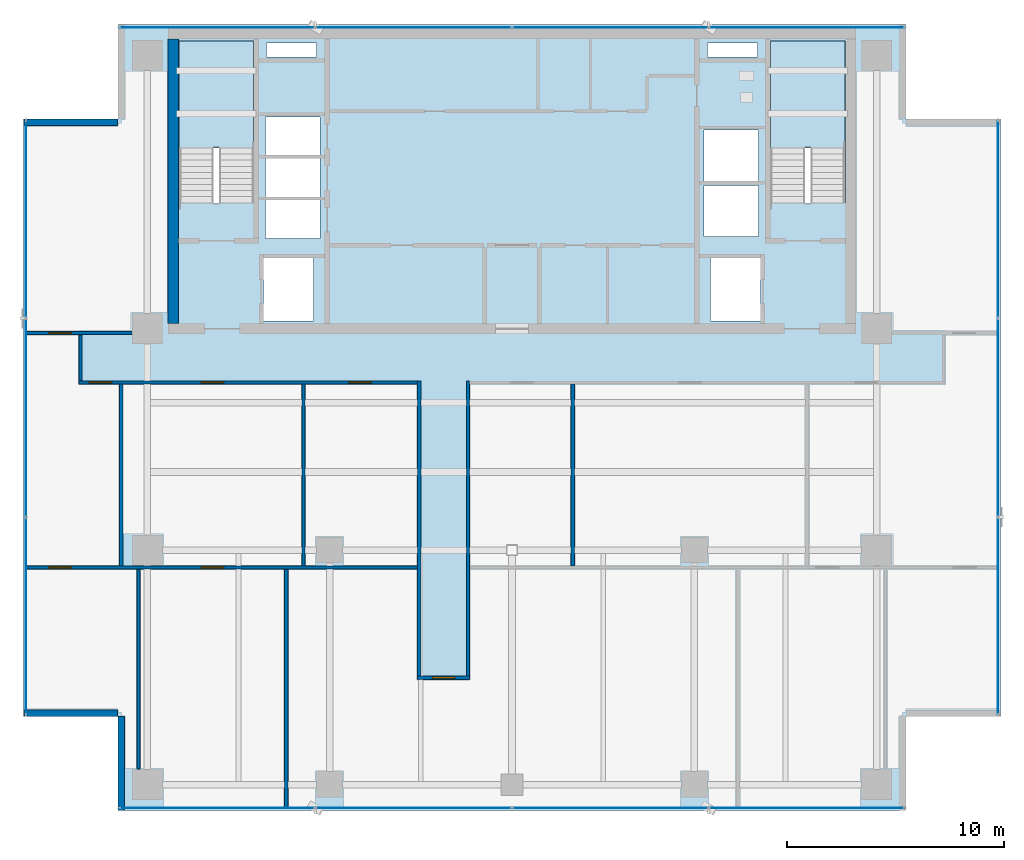
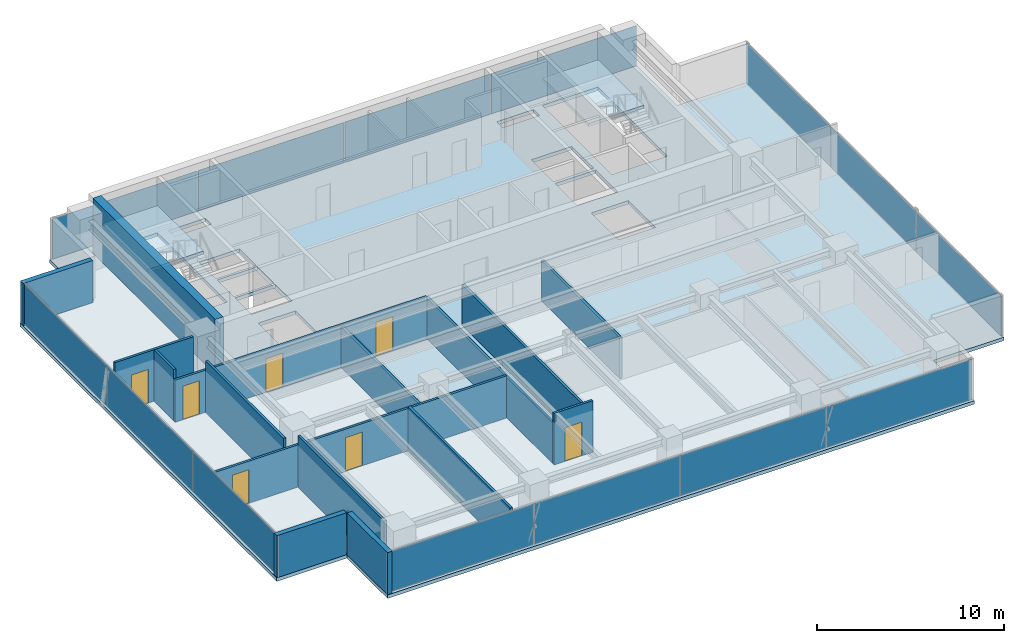
# One storey, part 19 of 26: 16 walls, 14 plates, 7 doors, 3 slabs, 7 openings, 6 elements without a shape of their own.
"""IFC4 building model written with IfcOpenShell, lengths in metres."""

from ifc_helpers import new_model, si_unit, direction, frame, frame_2d, origin, origin_2d, place, context, subcontext, project, spatial, polyline, rectangle, outline, extrude, source, transform, mapped, material, layer, layer_set, type_object, element, fill, aggregate, save


model = new_model("IFC4")

# Units and contexts
model_context = context("Model", 3, precision=1e-05, world=origin(), true_north=direction((0.0, 1.0)))
body_context = subcontext(model_context, "Body", "Model", "MODEL_VIEW")
ifc_project = project(units=[si_unit("LENGTHUNIT", "METRE"), si_unit("AREAUNIT", "SQUARE_METRE"), si_unit("VOLUMEUNIT", "CUBIC_METRE"), si_unit("PLANEANGLEUNIT", "RADIAN"), si_unit("MASSUNIT", "GRAM", prefix="KILO")], contexts=[model_context])

# Site, building, storey
site_placement = place(None, origin())
site = spatial("IfcSite", under=ifc_project, at=site_placement, CompositionType="ELEMENT")
building_placement = place(site_placement, origin())
building = spatial("IfcBuilding", under=site, at=building_placement, Name="Sumidabori Civic Tower", CompositionType="ELEMENT")
storey_placement = place(building_placement, frame((0.0, 0.0, 243.199951171875)))
storey = spatial("IfcBuildingStorey", under=building, at=storey_placement, Name="L63", CompositionType="ELEMENT", Elevation=243.199951171875)

# Stair, slab
ifc_material_1 = material(Name="Concrete C40/50", Category="concrete")
stair_type = type_object("IfcStairType", Name="ST-CORE-1600", PredefinedType="HALF_TURN_STAIR", material=ifc_material_1)
stair_1_placement = place(storey_placement, origin())
stair_1 = element("IfcStair", 1, at=stair_1_placement, inside=storey, type_object=stair_type, Name="L63 ST-1", PredefinedType="HALF_TURN_STAIR")
ifc_layer_1 = layer(ifc_material_1, 0.199951171875, Name="Concrete C40/50")
ifc_layer_set_1 = layer_set([ifc_layer_1], Name="Concrete C40/50")
slab_type_1 = type_object("IfcSlabType", Name="SL-LAND-200", PredefinedType="LANDING", material=ifc_layer_set_1)
slab_1_placement = place(storey_placement, frame((0.0, 0.0, 1.60009765625)))
slab_1 = element("IfcSlab", 2, at=slab_1_placement, type_object=slab_type_1, Name="ST-1 landing 1", PredefinedType="LANDING", context=body_context, shape_type="SweptSolid", body=[
    extrude(outline(polyline([(-11.89990234375, 18.52001953125), (-11.89990234375, 23.449951171875), (-15.340087890625, 23.449951171875), (-15.340087890625, 18.52001953125), (-11.89990234375, 18.52001953125)])), origin(), (0.0, 0.0, 1.0), 0.199951171875),
])
aggregate(stair_1, [slab_1])

stair_2_placement = place(storey_placement, origin())
stair_2 = element("IfcStair", 3, at=stair_2_placement, inside=storey, type_object=stair_type, Name="L63 ST-2", PredefinedType="HALF_TURN_STAIR")
slab_2_placement = place(storey_placement, frame((0.0, 0.0, 1.60009765625)))
slab_2 = element("IfcSlab", 4, at=slab_2_placement, type_object=slab_type_1, Name="ST-2 landing 1", PredefinedType="LANDING", context=body_context, shape_type="SweptSolid", body=[
    extrude(outline(polyline([(15.340087890625, 18.52001953125), (15.340087890625, 23.449951171875), (11.89990234375, 23.449951171875), (11.89990234375, 18.52001953125), (15.340087890625, 18.52001953125)])), origin(), (0.0, 0.0, 1.0), 0.199951171875),
])
aggregate(stair_2, [slab_2])

# Slab
ifc_layer_2 = layer(ifc_material_1, 0.22998046875, Name="Concrete C40/50")
ifc_layer_set_2 = layer_set([ifc_layer_2], Name="Concrete C40/50")
slab_type_2 = type_object("IfcSlabType", Name="SL-Z4-230", PredefinedType="FLOOR", material=ifc_layer_set_2)
slab_3_placement = place(storey_placement, frame((0.0, 0.0, -0.22998046875)))
element("IfcSlab", 5, at=slab_3_placement, inside=storey, type_object=slab_type_2, Name="Structural Slab L63", PredefinedType="FLOOR", context=body_context, shape_type="SweptSolid", body=[
    extrude(outline(polyline([(-18.14990234375, -12.0), (18.14990234375, -12.0), (18.14990234375, -7.64990234375), (22.5, -7.64990234375), (22.5, 19.85009765625), (18.14990234375, 19.85009765625), (18.14990234375, 24.199951171875), (-18.14990234375, 24.199951171875), (-18.14990234375, 19.85009765625), (-22.5, 19.85009765625), (-22.5, -7.64990234375), (-18.14990234375, -7.64990234375), (-18.14990234375, -12.0)]), holes=[polyline([(-11.89990234375, 16.0), (-11.89990234375, 23.449951171875), (-15.340087890625, 23.449951171875), (-15.340087890625, 16.0), (-11.89990234375, 16.0)]), polyline([(15.340087890625, 16.0), (15.340087890625, 23.449951171875), (11.89990234375, 23.449951171875), (11.89990234375, 16.0), (15.340087890625, 16.0)]), polyline([(-11.449951171875, 10.550048828125), (-9.14990234375, 10.550048828125), (-9.14990234375, 13.449951171875), (-11.449951171875, 13.449951171875), (-11.449951171875, 10.550048828125)]), polyline([(9.14990234375, 10.550048828125), (11.449951171875, 10.550048828125), (11.449951171875, 13.449951171875), (9.14990234375, 13.449951171875), (9.14990234375, 10.550048828125)]), polyline([(-11.35009765625, 14.35009765625), (-8.85009765625, 14.35009765625), (-8.85009765625, 16.1201171875), (-11.35009765625, 16.1201171875), (-11.35009765625, 14.35009765625)]), polyline([(-11.35009765625, 16.27001953125), (-8.85009765625, 16.27001953125), (-8.85009765625, 18.0400390625), (-11.35009765625, 18.0400390625), (-11.35009765625, 16.27001953125)]), polyline([(-11.35009765625, 18.18994140625), (-8.85009765625, 18.18994140625), (-8.85009765625, 19.9599609375), (-11.35009765625, 19.9599609375), (-11.35009765625, 18.18994140625)]), polyline([(8.85009765625, 14.449951171875), (11.35009765625, 14.449951171875), (11.35009765625, 16.800048828125), (8.85009765625, 16.800048828125), (8.85009765625, 14.449951171875)]), polyline([(8.85009765625, 17.0), (11.35009765625, 17.0), (11.35009765625, 19.35009765625), (8.85009765625, 19.35009765625), (8.85009765625, 17.0)]), polyline([(-11.300048828125, 22.719970703125), (-9.0, 22.719970703125), (-9.0, 23.35009765625), (-11.300048828125, 23.35009765625), (-11.300048828125, 22.719970703125)]), polyline([(9.0, 22.719970703125), (11.300048828125, 22.719970703125), (11.300048828125, 23.35009765625), (9.0, 23.35009765625), (9.0, 22.719970703125)])]), origin(), (0.0, 0.0, 1.0), 0.22998046875),
])

# Curtain wall, plates
ifc_material_2 = material(Name="Anodised Bronze Aluminium AW-6063-T6", Category="aluminium")
ifc_layer_3 = layer(ifc_material_2, 0.179931640625, Name="Anodised Bronze Aluminium AW-6063-T6")
ifc_layer_set_3 = layer_set([ifc_layer_3], Name="Anodised Bronze Aluminium AW-6063-T6")
curtain_wall_type = type_object("IfcCurtainWallType", Name="CW-SYS-5", PredefinedType="NOTDEFINED", material=ifc_layer_set_3)
curtain_wall_1_placement = place(storey_placement, origin())
curtain_wall_1 = element("IfcCurtainWall", 6, at=curtain_wall_1_placement, inside=storey, type_object=curtain_wall_type, Name="Curtain Wall CW:L63:R01", PredefinedType="NOTDEFINED")
ifc_material_3 = material(Name="Low-E Solar-Control Vision Glazing", Category="glass")
ifc_layer_4 = layer(ifc_material_3, 0.028076171875, Name="Low-E Solar-Control Vision Glazing")
ifc_layer_set_4 = layer_set([ifc_layer_4], Name="Low-E Solar-Control Vision Glazing")
plate_type = type_object("IfcPlateType", Name="CW-PNL-28", PredefinedType="CURTAIN_PANEL", material=ifc_layer_set_4)
shared_shape_1 = source(origin(), body_context, "Body", "SweptSolid", [
    extrude(rectangle(XDim=8.969970703125, YDim=0.028076171875, at=origin_2d()), origin(), (0.0, 0.0, 1.0), 2.6298828125),
])
plate_1_placement = place(storey_placement, frame((-13.574951171875, -11.8798828125, 0.06005859375), z_axis=(0.0, 0.0, 1.0), x_axis=(1.0, 0.0, 0.0)))
plate_1 = element("IfcPlate", 7, at=plate_1_placement, type_object=plate_type, Name="CW-5 panel 1.1", PredefinedType="CURTAIN_PANEL", context=body_context, shape_type="MappedRepresentation", body=[
    mapped(shared_shape_1, transform((0.0, 0.0, 0.0), x_axis=(1.0, 0.0, 0.0), y_axis=(0.0, 1.0, 0.0), z_axis=(0.0, 0.0, 1.0), scale=1.0)),
])
plate_2_placement = place(storey_placement, frame((13.574951171875, -11.8798828125, 0.06005859375), z_axis=(0.0, 0.0, 1.0), x_axis=(1.0, 0.0, 0.0)))
plate_2 = element("IfcPlate", 8, at=plate_2_placement, type_object=plate_type, Name="CW-5 panel 4.1", PredefinedType="CURTAIN_PANEL", context=body_context, shape_type="MappedRepresentation", body=[
    mapped(shared_shape_1, transform((0.0, 0.0, 0.0), x_axis=(1.0, 0.0, 0.0), y_axis=(0.0, 1.0, 0.0), z_axis=(0.0, 0.0, 1.0), scale=1.0)),
])

curtain_wall_2_placement = place(storey_placement, origin())
curtain_wall_2 = element("IfcCurtainWall", 9, at=curtain_wall_2_placement, inside=storey, type_object=curtain_wall_type, Name="Curtain Wall CW:L63:R07", PredefinedType="NOTDEFINED")
plate_3_placement = place(storey_placement, frame((13.574951171875, 24.080078125, 0.06005859375), z_axis=(0.0, 0.0, 1.0), x_axis=(-1.0, 0.0, 0.0)))
plate_3 = element("IfcPlate", 10, at=plate_3_placement, type_object=plate_type, Name="CW-5 panel 1.1", PredefinedType="CURTAIN_PANEL", context=body_context, shape_type="MappedRepresentation", body=[
    mapped(shared_shape_1, transform((0.0, 0.0, 0.0), x_axis=(1.0, 0.0, 0.0), y_axis=(0.0, 1.0, 0.0), z_axis=(0.0, 0.0, 1.0), scale=1.0)),
])
plate_4_placement = place(storey_placement, frame((-13.574951171875, 24.080078125, 0.06005859375), z_axis=(0.0, 0.0, 1.0), x_axis=(-1.0, 0.0, 0.0)))
plate_4 = element("IfcPlate", 11, at=plate_4_placement, type_object=plate_type, Name="CW-5 panel 4.1", PredefinedType="CURTAIN_PANEL", context=body_context, shape_type="MappedRepresentation", body=[
    mapped(shared_shape_1, transform((0.0, 0.0, 0.0), x_axis=(1.0, 0.0, 0.0), y_axis=(0.0, 1.0, 0.0), z_axis=(0.0, 0.0, 1.0), scale=1.0)),
])

# Plate
shared_shape_2 = source(origin(), body_context, "Body", "SweptSolid", [
    extrude(rectangle(XDim=9.0, YDim=0.028076171875, at=origin_2d()), origin(), (0.0, 0.0, 1.0), 2.6298828125),
])
plate_5_placement = place(storey_placement, frame((-4.530029296875, -11.8798828125, 0.06005859375), z_axis=(0.0, 0.0, 1.0), x_axis=(1.0, 0.0, 0.0)))
plate_5 = element("IfcPlate", 12, at=plate_5_placement, type_object=plate_type, Name="CW-5 panel 2.1", PredefinedType="CURTAIN_PANEL", context=body_context, shape_type="MappedRepresentation", body=[
    mapped(shared_shape_2, transform((0.0, 0.0, 0.0), x_axis=(1.0, 0.0, 0.0), y_axis=(0.0, 1.0, 0.0), z_axis=(0.0, 0.0, 1.0), scale=1.0)),
])

plate_6_placement = place(storey_placement, frame((4.530029296875, -11.8798828125, 0.06005859375), z_axis=(0.0, 0.0, 1.0), x_axis=(1.0, 0.0, 0.0)))
plate_6 = element("IfcPlate", 13, at=plate_6_placement, type_object=plate_type, Name="CW-5 panel 3.1", PredefinedType="CURTAIN_PANEL", context=body_context, shape_type="MappedRepresentation", body=[
    mapped(shared_shape_2, transform((0.0, 0.0, 0.0), x_axis=(1.0, 0.0, 0.0), y_axis=(0.0, 1.0, 0.0), z_axis=(0.0, 0.0, 1.0), scale=1.0)),
])

aggregate(curtain_wall_1, [plate_1, plate_5, plate_6, plate_2])

plate_7_placement = place(storey_placement, frame((4.530029296875, 24.080078125, 0.06005859375), z_axis=(0.0, 0.0, 1.0), x_axis=(-1.0, 0.0, 0.0)))
plate_7 = element("IfcPlate", 14, at=plate_7_placement, type_object=plate_type, Name="CW-5 panel 2.1", PredefinedType="CURTAIN_PANEL", context=body_context, shape_type="MappedRepresentation", body=[
    mapped(shared_shape_2, transform((0.0, 0.0, 0.0), x_axis=(1.0, 0.0, 0.0), y_axis=(0.0, 1.0, 0.0), z_axis=(0.0, 0.0, 1.0), scale=1.0)),
])

plate_8_placement = place(storey_placement, frame((-4.530029296875, 24.080078125, 0.06005859375), z_axis=(0.0, 0.0, 1.0), x_axis=(-1.0, 0.0, 0.0)))
plate_8 = element("IfcPlate", 15, at=plate_8_placement, type_object=plate_type, Name="CW-5 panel 3.1", PredefinedType="CURTAIN_PANEL", context=body_context, shape_type="MappedRepresentation", body=[
    mapped(shared_shape_2, transform((0.0, 0.0, 0.0), x_axis=(1.0, 0.0, 0.0), y_axis=(0.0, 1.0, 0.0), z_axis=(0.0, 0.0, 1.0), scale=1.0)),
])

aggregate(curtain_wall_2, [plate_3, plate_7, plate_8, plate_4])

# Curtain wall, plates
curtain_wall_3_placement = place(storey_placement, origin())
curtain_wall_3 = element("IfcCurtainWall", 16, at=curtain_wall_3_placement, inside=storey, type_object=curtain_wall_type, Name="Curtain Wall CW:L63:R04", PredefinedType="NOTDEFINED")
shared_shape_3 = source(origin(), body_context, "Body", "SweptSolid", [
    extrude(rectangle(XDim=9.056640625, YDim=0.028076171875, at=origin_2d()), origin(), (0.0, 0.0, 1.0), 2.6298828125),
])
plate_9_placement = place(storey_placement, frame((22.3798828125, -3.03173828125, 0.06005859375), z_axis=(0.0, 0.0, 1.0), x_axis=(0.0, 1.0, 0.0)))
plate_9 = element("IfcPlate", 17, at=plate_9_placement, type_object=plate_type, Name="CW-5 panel 1.1", PredefinedType="CURTAIN_PANEL", context=body_context, shape_type="MappedRepresentation", body=[
    mapped(shared_shape_3, transform((0.0, 0.0, 0.0), x_axis=(1.0, 0.0, 0.0), y_axis=(0.0, 1.0, 0.0), z_axis=(0.0, 0.0, 1.0), scale=1.0)),
])
plate_10_placement = place(storey_placement, frame((22.3798828125, 15.231689453125, 0.06005859375), z_axis=(0.0, 0.0, 1.0), x_axis=(0.0, 1.0, 0.0)))
plate_10 = element("IfcPlate", 18, at=plate_10_placement, type_object=plate_type, Name="CW-5 panel 3.1", PredefinedType="CURTAIN_PANEL", context=body_context, shape_type="MappedRepresentation", body=[
    mapped(shared_shape_3, transform((0.0, 0.0, 0.0), x_axis=(1.0, 0.0, 0.0), y_axis=(0.0, 1.0, 0.0), z_axis=(0.0, 0.0, 1.0), scale=1.0)),
])

curtain_wall_4_placement = place(storey_placement, origin())
curtain_wall_4 = element("IfcCurtainWall", 19, at=curtain_wall_4_placement, inside=storey, type_object=curtain_wall_type, Name="Curtain Wall CW:L63:R10", PredefinedType="NOTDEFINED")
plate_11_placement = place(storey_placement, frame((-22.3798828125, 15.231689453125, 0.06005859375), z_axis=(0.0, 0.0, 1.0), x_axis=(0.0, -1.0, 0.0)))
plate_11 = element("IfcPlate", 20, at=plate_11_placement, type_object=plate_type, Name="CW-5 panel 1.1", PredefinedType="CURTAIN_PANEL", context=body_context, shape_type="MappedRepresentation", body=[
    mapped(shared_shape_3, transform((0.0, 0.0, 0.0), x_axis=(1.0, 0.0, 0.0), y_axis=(0.0, 1.0, 0.0), z_axis=(0.0, 0.0, 1.0), scale=1.0)),
])
plate_12_placement = place(storey_placement, frame((-22.3798828125, -3.03173828125, 0.06005859375), z_axis=(0.0, 0.0, 1.0), x_axis=(0.0, -1.0, 0.0)))
plate_12 = element("IfcPlate", 21, at=plate_12_placement, type_object=plate_type, Name="CW-5 panel 3.1", PredefinedType="CURTAIN_PANEL", context=body_context, shape_type="MappedRepresentation", body=[
    mapped(shared_shape_3, transform((0.0, 0.0, 0.0), x_axis=(1.0, 0.0, 0.0), y_axis=(0.0, 1.0, 0.0), z_axis=(0.0, 0.0, 1.0), scale=1.0)),
])

# Plate
shared_shape_4 = source(origin(), body_context, "Body", "SweptSolid", [
    extrude(rectangle(XDim=9.086669921875, YDim=0.028076171875, at=origin_2d()), origin(), (0.0, 0.0, 1.0), 2.6298828125),
])
plate_13_placement = place(storey_placement, frame((22.3798828125, 6.10009765625, 0.06005859375), z_axis=(0.0, 0.0, 1.0), x_axis=(0.0, 1.0, 0.0)))
plate_13 = element("IfcPlate", 22, at=plate_13_placement, type_object=plate_type, Name="CW-5 panel 2.1", PredefinedType="CURTAIN_PANEL", context=body_context, shape_type="MappedRepresentation", body=[
    mapped(shared_shape_4, transform((0.0, 0.0, 0.0), x_axis=(1.0, 0.0, 0.0), y_axis=(0.0, 1.0, 0.0), z_axis=(0.0, 0.0, 1.0), scale=1.0)),
])

aggregate(curtain_wall_3, [plate_9, plate_13, plate_10])

plate_14_placement = place(storey_placement, frame((-22.3798828125, 6.10009765625, 0.06005859375), z_axis=(0.0, 0.0, 1.0), x_axis=(0.0, -1.0, 0.0)))
plate_14 = element("IfcPlate", 23, at=plate_14_placement, type_object=plate_type, Name="CW-5 panel 2.1", PredefinedType="CURTAIN_PANEL", context=body_context, shape_type="MappedRepresentation", body=[
    mapped(shared_shape_4, transform((0.0, 0.0, 0.0), x_axis=(1.0, 0.0, 0.0), y_axis=(0.0, 1.0, 0.0), z_axis=(0.0, 0.0, 1.0), scale=1.0)),
])

aggregate(curtain_wall_4, [plate_11, plate_14, plate_12])

# Walls
ifc_material_4 = material(Name="Concrete C50/60", Category="concrete")
ifc_layer_5 = layer(ifc_material_4, 0.5, Name="Concrete C50/60")
ifc_layer_set_5 = layer_set([ifc_layer_5], Name="Concrete C50/60")
wall_type_1 = type_object("IfcWallType", Name="WL-CORE-500", PredefinedType="SHEAR", material=ifc_layer_set_5)
shared_shape_5 = source(origin(), body_context, "Body", "SweptSolid", [
    extrude(rectangle(XDim=13.10009765625, YDim=0.5, at=frame_2d((6.550048828125, 0.0))), origin(), (0.0, 0.0, 1.0), 3.60009765625),
])
wall_1_placement = place(storey_placement, frame((-15.60009765625, 10.449951171875, 0.0), z_axis=(0.0, 0.0, 1.0), x_axis=(0.0, 1.0, 0.0)))
element("IfcWall", 24, at=wall_1_placement, inside=storey, type_object=wall_type_1, Name="Core Shear Wall L63 W", PredefinedType="SHEAR", context=body_context, shape_type="MappedRepresentation", body=[
    mapped(shared_shape_5, transform((0.0, 0.0, 0.0), x_axis=(1.0, 0.0, 0.0), y_axis=(0.0, 1.0, 0.0), z_axis=(0.0, 0.0, 1.0), scale=1.0)),
])
ifc_material_5 = material(Name="Precast concrete C40/50", Category="concrete")
ifc_layer_6 = layer(ifc_material_5, 0.300048828125, Name="Precast concrete C40/50")
ifc_layer_set_6 = layer_set([ifc_layer_6], Name="Precast concrete C40/50")
wall_type_2 = type_object("IfcWallType", Name="WL-EXT-POD300", PredefinedType="STANDARD", material=ifc_layer_set_6)
shared_shape_6 = source(origin(), body_context, "Body", "SweptSolid", [
    extrude(rectangle(XDim=4.31005859375, YDim=0.300048828125, at=frame_2d((2.155029296875, 0.0))), origin(), (0.0, 0.0, 1.0), 2.75),
])
for number, where, z_axis, x_axis, name in (
    (25, (-18.169921875, 19.699951171875, 0.0), (0.0, 0.0, 1.0), (-1.0, 0.0, 0.0), "Notched Corner Spandrel Band L63-09"),
    (26, (-22.47998046875, -7.5, 0.0), (0.0, 0.0, 1.0), (1.0, 0.0, 0.0), "Notched Corner Spandrel Band L63-11"),
    (27, (-18.0, -7.669921875, 0.0), (0.0, 0.0, 1.0), (0.0, -1.0, 0.0), "Notched Corner Spandrel Band L63-12"),
):
    element("IfcWall", number, at=place(storey_placement, frame(where, z_axis=z_axis, x_axis=x_axis)), inside=storey, type_object=wall_type_2, Name=name, PredefinedType="STANDARD", context=body_context, shape_type="MappedRepresentation", body=[
        mapped(shared_shape_6, transform((0.0, 0.0, 0.0), x_axis=(1.0, 0.0, 0.0), y_axis=(0.0, 1.0, 0.0), z_axis=(0.0, 0.0, 1.0), scale=1.0)),
    ])

# Wall, opening, door
ifc_material_6 = material(Name="Gypsum Plasterboard Acoustic Partition")
ifc_layer_7 = layer(ifc_material_6, 0.14990234375, Name="Gypsum Plasterboard Acoustic Partition")
ifc_layer_set_7 = layer_set([ifc_layer_7], Name="Gypsum Plasterboard Acoustic Partition")
wall_type_3 = type_object("IfcWallType", Name="WL-PART-150", PredefinedType="PARTITIONING", material=ifc_layer_set_7)
shared_shape_7 = source(origin(), body_context, "Body", "SweptSolid", [
    extrude(rectangle(XDim=4.840087890625, YDim=0.14990234375, at=frame_2d((2.419921875, 0.0))), origin(), (0.0, 0.0, 1.0), 3.3701171875),
])
wall_2_placement = place(storey_placement, frame((-22.35009765625, 10.0, 0.0), z_axis=(0.0, 0.0, 1.0), x_axis=(1.0, 0.0, 0.0)))
wall_2 = element("IfcWall", 28, at=wall_2_placement, inside=storey, type_object=wall_type_3, Name="Interior Partition WL:L63:FLK-NW", PredefinedType="PARTITIONING", context=body_context, shape_type="MappedRepresentation", body=[
    mapped(shared_shape_7, transform((0.0, 0.0, 0.0), x_axis=(1.0, 0.0, 0.0), y_axis=(0.0, 1.0, 0.0), z_axis=(0.0, 0.0, 1.0), scale=1.0)),
])
opening_1_placement = place(wall_2_placement, frame((1.017578125, 0.0, 0.0)))
opening_1 = element("IfcOpeningElement", 29, at=opening_1_placement, cuts=wall_2, Name="Opening DR-4", PredefinedType="OPENING", context=body_context, shape_type="SweptSolid", body=[
    extrude(rectangle(XDim=1.0400390625, YDim=2.199951171875, at=frame_2d((0.52001953125, 1.10009765625))), frame((0.0, 0.0869140625, 0.0), z_axis=(0.0, -1.0, 0.0), x_axis=(1.0, 0.0, 0.0)), (0.0, 0.0, 1.0), 0.173828125),
])
ifc_material_7 = material(Name="Japanese Hinoki Timber", Category="wood")
door_type = type_object("IfcDoorType", Name="DR-INT-1040", OperationType="NOTDEFINED", PredefinedType="DOOR", material=ifc_material_7)
shared_shape_8 = source(origin(), body_context, "Body", "SweptSolid", [
    extrude(rectangle(XDim=1.0400390625, YDim=2.199951171875, at=frame_2d((0.52001953125, 1.10009765625))), frame((0.0, 0.02490234375, 0.0), z_axis=(0.0, -1.0, 0.0), x_axis=(1.0, 0.0, 0.0)), (0.0, 0.0, 1.0), 0.050048828125),
])
door_1_placement = place(opening_1_placement, origin())
door_1 = element("IfcDoor", 30, at=door_1_placement, inside=storey, type_object=door_type, Name="Door DR:L63:D08", OperationType="SINGLE_SWING_RIGHT", OverallHeight=2.199951171875, OverallWidth=1.0400390625, PredefinedType="DOOR", context=body_context, shape_type="MappedRepresentation", body=[
    mapped(shared_shape_8, transform((0.0, 0.0, 0.0), x_axis=(1.0, 0.0, 0.0), y_axis=(0.0, 1.0, 0.0), z_axis=(0.0, 0.0, 1.0), scale=1.0)),
])
fill(opening_1, door_1)

# Wall, openings, doors
shared_shape_9 = source(origin(), body_context, "Body", "SweptSolid", [
    extrude(rectangle(XDim=15.599853515625, YDim=0.14990234375, at=frame_2d((7.7998046875, 0.0))), origin(), (0.0, 0.0, 1.0), 2.755126953125),
])
wall_3_placement = place(storey_placement, frame((-19.949951171875, 7.72509765625, 0.0), z_axis=(0.0, 0.0, 1.0), x_axis=(1.0, 0.0, 0.0)))
wall_3 = element("IfcWall", 31, at=wall_3_placement, inside=storey, type_object=wall_type_3, Name="Interior Partition WL:L63:CORR-SW", PredefinedType="PARTITIONING", context=body_context, shape_type="MappedRepresentation", body=[
    mapped(shared_shape_9, transform((0.0, 0.0, 0.0), x_axis=(1.0, 0.0, 0.0), y_axis=(0.0, 1.0, 0.0), z_axis=(0.0, 0.0, 1.0), scale=1.0)),
])
opening_2_placement = place(wall_3_placement, frame((0.4775390625, 0.0, 0.0)))
opening_2 = element("IfcOpeningElement", 32, at=opening_2_placement, cuts=wall_3, Name="Opening DR-4", PredefinedType="OPENING", context=body_context, shape_type="SweptSolid", body=[
    extrude(rectangle(XDim=1.0400390625, YDim=2.199951171875, at=frame_2d((0.52001953125, 1.10009765625))), frame((0.0, 0.0869140625, 0.0), z_axis=(0.0, -1.0, 0.0), x_axis=(1.0, 0.0, 0.0)), (0.0, 0.0, 1.0), 0.173828125),
])
opening_3_placement = place(wall_3_placement, frame((5.6298828125, 0.0, 0.0)))
opening_3 = element("IfcOpeningElement", 33, at=opening_3_placement, cuts=wall_3, Name="Opening DR-4", PredefinedType="OPENING", context=body_context, shape_type="SweptSolid", body=[
    extrude(rectangle(XDim=1.0400390625, YDim=2.199951171875, at=frame_2d((0.52001953125, 1.10009765625))), frame((0.0, 0.0869140625, 0.0), z_axis=(0.0, -1.0, 0.0), x_axis=(1.0, 0.0, 0.0)), (0.0, 0.0, 1.0), 0.173828125),
])
opening_4_placement = place(wall_3_placement, frame((12.4326171875, 0.0, 0.0)))
opening_4 = element("IfcOpeningElement", 34, at=opening_4_placement, cuts=wall_3, Name="Opening DR-4", PredefinedType="OPENING", context=body_context, shape_type="SweptSolid", body=[
    extrude(rectangle(XDim=1.0400390625, YDim=2.199951171875, at=frame_2d((0.52001953125, 1.10009765625))), frame((0.0, 0.0869140625, 0.0), z_axis=(0.0, -1.0, 0.0), x_axis=(1.0, 0.0, 0.0)), (0.0, 0.0, 1.0), 0.173828125),
])
door_2_placement = place(opening_2_placement, origin())
door_2 = element("IfcDoor", 35, at=door_2_placement, inside=storey, type_object=door_type, Name="Door DR:L63:D01", OperationType="SINGLE_SWING_LEFT", OverallHeight=2.199951171875, OverallWidth=1.0400390625, PredefinedType="DOOR", context=body_context, shape_type="MappedRepresentation", body=[
    mapped(shared_shape_8, transform((0.0, 0.0, 0.0), x_axis=(1.0, 0.0, 0.0), y_axis=(0.0, 1.0, 0.0), z_axis=(0.0, 0.0, 1.0), scale=1.0)),
])
fill(opening_2, door_2)
door_3_placement = place(opening_3_placement, origin())
door_3 = element("IfcDoor", 36, at=door_3_placement, inside=storey, type_object=door_type, Name="Door DR:L63:D03", OperationType="SINGLE_SWING_LEFT", OverallHeight=2.199951171875, OverallWidth=1.0400390625, PredefinedType="DOOR", context=body_context, shape_type="MappedRepresentation", body=[
    mapped(shared_shape_8, transform((0.0, 0.0, 0.0), x_axis=(1.0, 0.0, 0.0), y_axis=(0.0, 1.0, 0.0), z_axis=(0.0, 0.0, 1.0), scale=1.0)),
])
fill(opening_3, door_3)
door_4_placement = place(opening_4_placement, origin())
door_4 = element("IfcDoor", 37, at=door_4_placement, inside=storey, type_object=door_type, Name="Door DR:L63:D04", OperationType="SINGLE_SWING_RIGHT", OverallHeight=2.199951171875, OverallWidth=1.0400390625, PredefinedType="DOOR", context=body_context, shape_type="MappedRepresentation", body=[
    mapped(shared_shape_8, transform((0.0, 0.0, 0.0), x_axis=(1.0, 0.0, 0.0), y_axis=(0.0, 1.0, 0.0), z_axis=(0.0, 0.0, 1.0), scale=1.0)),
])
fill(opening_4, door_4)

# Wall, opening, door
shared_shape_10 = source(origin(), body_context, "Body", "SweptSolid", [
    extrude(rectangle(XDim=2.400146484375, YDim=0.14990234375, at=frame_2d((1.2001953125, 0.0))), origin(), (0.0, 0.0, 1.0), 3.3701171875),
])
wall_4_placement = place(storey_placement, frame((-4.35009765625, -5.875, 0.0), z_axis=(0.0, 0.0, 1.0), x_axis=(1.0, 0.0, 0.0)))
wall_4 = element("IfcWall", 38, at=wall_4_placement, inside=storey, type_object=wall_type_3, Name="Interior Partition WL:L63:CORR-CAP-C", PredefinedType="PARTITIONING", context=body_context, shape_type="MappedRepresentation", body=[
    mapped(shared_shape_10, transform((0.0, 0.0, 0.0), x_axis=(1.0, 0.0, 0.0), y_axis=(0.0, 1.0, 0.0), z_axis=(0.0, 0.0, 1.0), scale=1.0)),
])
opening_5_placement = place(wall_4_placement, frame((0.679931640625, 0.0, 0.0)))
opening_5 = element("IfcOpeningElement", 39, at=opening_5_placement, cuts=wall_4, Name="Opening DR-4", PredefinedType="OPENING", context=body_context, shape_type="SweptSolid", body=[
    extrude(rectangle(XDim=1.0400390625, YDim=2.199951171875, at=frame_2d((0.52001953125, 1.10009765625))), frame((0.0, 0.0869140625, 0.0), z_axis=(0.0, -1.0, 0.0), x_axis=(1.0, 0.0, 0.0)), (0.0, 0.0, 1.0), 0.173828125),
])
door_5_placement = place(opening_5_placement, origin())
door_5 = element("IfcDoor", 40, at=door_5_placement, inside=storey, type_object=door_type, Name="Door DR:L63:D07", OperationType="SINGLE_SWING_LEFT", OverallHeight=2.199951171875, OverallWidth=1.0400390625, PredefinedType="DOOR", context=body_context, shape_type="MappedRepresentation", body=[
    mapped(shared_shape_8, transform((0.0, 0.0, 0.0), x_axis=(1.0, 0.0, 0.0), y_axis=(0.0, 1.0, 0.0), z_axis=(0.0, 0.0, 1.0), scale=1.0)),
])
fill(opening_5, door_5)

# Walls
shared_shape_11 = source(origin(), body_context, "Body", "SweptSolid", [
    extrude(rectangle(XDim=2.114990234375, YDim=0.14990234375, at=frame_2d((1.0576171875, 0.0))), origin(), (0.0, 0.0, 1.0), 3.3701171875),
])
wall_5_placement = place(storey_placement, frame((-19.875, 7.804931640625, 0.0), z_axis=(0.0, 0.0, 1.0), x_axis=(0.0, 1.0, 0.0)))
element("IfcWall", 41, at=wall_5_placement, inside=storey, type_object=wall_type_3, Name="Interior Partition WL:L63:CORR-VNW", PredefinedType="PARTITIONING", context=body_context, shape_type="MappedRepresentation", body=[
    mapped(shared_shape_11, transform((0.0, 0.0, 0.0), x_axis=(1.0, 0.0, 0.0), y_axis=(0.0, 1.0, 0.0), z_axis=(0.0, 0.0, 1.0), scale=1.0)),
])
shared_shape_12 = source(origin(), body_context, "Body", "SweptSolid", [
    extrude(rectangle(XDim=13.594970703125, YDim=0.14990234375, at=frame_2d((6.79736328125, 0.0))), origin(), (0.0, 0.0, 1.0), 2.655029296875),
])
for number, where, z_axis, x_axis, name in (
    (42, (-4.27490234375, -5.794921875, 0.0), (0.0, 0.0, 1.0), (0.0, 1.0, 0.0), "Interior Partition WL:L63:CORR-VC-W"),
    (43, (-2.02490234375, -5.794921875, 0.0), (0.0, 0.0, 1.0), (0.0, 1.0, 0.0), "Interior Partition WL:L63:CORR-VC-E"),
):
    element("IfcWall", number, at=place(storey_placement, frame(where, z_axis=z_axis, x_axis=x_axis)), inside=storey, type_object=wall_type_3, Name=name, PredefinedType="PARTITIONING", context=body_context, shape_type="MappedRepresentation", body=[
        mapped(shared_shape_12, transform((0.0, 0.0, 0.0), x_axis=(1.0, 0.0, 0.0), y_axis=(0.0, 1.0, 0.0), z_axis=(0.0, 0.0, 1.0), scale=1.0)),
    ])

# Wall, openings, doors
shared_shape_13 = source(origin(), body_context, "Body", "SweptSolid", [
    extrude(rectangle(XDim=17.9951171875, YDim=0.14990234375, at=frame_2d((8.99755859375, 0.0))), origin(), (0.0, 0.0, 1.0), 2.755126953125),
])
wall_6_placement = place(storey_placement, frame((-22.35009765625, -0.800048828125, 0.0), z_axis=(0.0, 0.0, 1.0), x_axis=(1.0, 0.0, 0.0)))
wall_6 = element("IfcWall", 44, at=wall_6_placement, inside=storey, type_object=wall_type_3, Name="Interior Partition WL:L63:BAND-Y-1", PredefinedType="PARTITIONING", context=body_context, shape_type="MappedRepresentation", body=[
    mapped(shared_shape_13, transform((0.0, 0.0, 0.0), x_axis=(1.0, 0.0, 0.0), y_axis=(0.0, 1.0, 0.0), z_axis=(0.0, 0.0, 1.0), scale=1.0)),
])
opening_6_placement = place(wall_6_placement, frame((1.017578125, 0.0, 0.0)))
opening_6 = element("IfcOpeningElement", 45, at=opening_6_placement, cuts=wall_6, Name="Opening DR-4", PredefinedType="OPENING", context=body_context, shape_type="SweptSolid", body=[
    extrude(rectangle(XDim=1.0400390625, YDim=2.199951171875, at=frame_2d((0.52001953125, 1.10009765625))), frame((0.0, 0.0869140625, 0.0), z_axis=(0.0, -1.0, 0.0), x_axis=(1.0, 0.0, 0.0)), (0.0, 0.0, 1.0), 0.173828125),
])
opening_7_placement = place(wall_6_placement, frame((8.030029296875, 0.0, 0.0)))
opening_7 = element("IfcOpeningElement", 46, at=opening_7_placement, cuts=wall_6, Name="Opening DR-4", PredefinedType="OPENING", context=body_context, shape_type="SweptSolid", body=[
    extrude(rectangle(XDim=1.0400390625, YDim=2.199951171875, at=frame_2d((0.52001953125, 1.10009765625))), frame((0.0, 0.0869140625, 0.0), z_axis=(0.0, -1.0, 0.0), x_axis=(1.0, 0.0, 0.0)), (0.0, 0.0, 1.0), 0.173828125),
])
door_6_placement = place(opening_6_placement, origin())
door_6 = element("IfcDoor", 47, at=door_6_placement, inside=storey, type_object=door_type, Name="Door DR:L63:D10", OperationType="SINGLE_SWING_RIGHT", OverallHeight=2.199951171875, OverallWidth=1.0400390625, PredefinedType="DOOR", context=body_context, shape_type="MappedRepresentation", body=[
    mapped(shared_shape_8, transform((0.0, 0.0, 0.0), x_axis=(1.0, 0.0, 0.0), y_axis=(0.0, 1.0, 0.0), z_axis=(0.0, 0.0, 1.0), scale=1.0)),
])
fill(opening_6, door_6)
door_7_placement = place(opening_7_placement, origin())
door_7 = element("IfcDoor", 48, at=door_7_placement, inside=storey, type_object=door_type, Name="Door DR:L63:D12", OperationType="SINGLE_SWING_RIGHT", OverallHeight=2.199951171875, OverallWidth=1.0400390625, PredefinedType="DOOR", context=body_context, shape_type="MappedRepresentation", body=[
    mapped(shared_shape_8, transform((0.0, 0.0, 0.0), x_axis=(1.0, 0.0, 0.0), y_axis=(0.0, 1.0, 0.0), z_axis=(0.0, 0.0, 1.0), scale=1.0)),
])
fill(opening_7, door_7)

# Walls
shared_shape_14 = source(origin(), body_context, "Body", "SweptSolid", [
    extrude(rectangle(XDim=8.364990234375, YDim=0.14990234375, at=frame_2d((4.1826171875, 0.0))), origin(), (0.0, 0.0, 1.0), 3.3701171875),
])
wall_7_placement = place(storey_placement, frame((-18.0, -0.719970703125, 0.0), z_axis=(0.0, 0.0, 1.0), x_axis=(0.0, 1.0, 0.0)))
element("IfcWall", 49, at=wall_7_placement, inside=storey, type_object=wall_type_3, Name="Interior Partition WL:L63:VX-N1", PredefinedType="PARTITIONING", context=body_context, shape_type="MappedRepresentation", body=[
    mapped(shared_shape_14, transform((0.0, 0.0, 0.0), x_axis=(1.0, 0.0, 0.0), y_axis=(0.0, 1.0, 0.0), z_axis=(0.0, 0.0, 1.0), scale=1.0)),
])
shared_shape_15 = source(origin(), body_context, "Body", "SweptSolid", [
    extrude(rectangle(XDim=8.364990234375, YDim=0.14990234375, at=frame_2d((4.1826171875, 0.0))), origin(), (0.0, 0.0, 1.0), 2.655029296875),
])
for number, where, z_axis, x_axis, name in (
    (50, (-9.60009765625, -0.719970703125, 0.0), (0.0, 0.0, 1.0), (0.0, 1.0, 0.0), "Interior Partition WL:L63:VX-N2"),
    (51, (2.800048828125, -0.719970703125, 0.0), (0.0, 0.0, 1.0), (0.0, 1.0, 0.0), "Interior Partition WL:L63:VX-N3"),
):
    element("IfcWall", number, at=place(storey_placement, frame(where, z_axis=z_axis, x_axis=x_axis)), inside=storey, type_object=wall_type_3, Name=name, PredefinedType="PARTITIONING", context=body_context, shape_type="MappedRepresentation", body=[
        mapped(shared_shape_15, transform((0.0, 0.0, 0.0), x_axis=(1.0, 0.0, 0.0), y_axis=(0.0, 1.0, 0.0), z_axis=(0.0, 0.0, 1.0), scale=1.0)),
    ])
shared_shape_16 = source(origin(), body_context, "Body", "SweptSolid", [
    extrude(rectangle(XDim=9.210205078125, YDim=0.14990234375, at=frame_2d((4.60498046875, 0.0))), origin(), (0.0, 0.0, 1.0), 3.3701171875),
])
wall_8_placement = place(storey_placement, frame((-17.199951171875, -10.090087890625, 0.0), z_axis=(0.0, 0.0, 1.0), x_axis=(0.0, 1.0, 0.0)))
element("IfcWall", 52, at=wall_8_placement, inside=storey, type_object=wall_type_3, Name="Interior Partition WL:L63:VX-S1", PredefinedType="PARTITIONING", context=body_context, shape_type="MappedRepresentation", body=[
    mapped(shared_shape_16, transform((0.0, 0.0, 0.0), x_axis=(1.0, 0.0, 0.0), y_axis=(0.0, 1.0, 0.0), z_axis=(0.0, 0.0, 1.0), scale=1.0)),
])
shared_shape_17 = source(origin(), body_context, "Body", "SweptSolid", [
    extrude(rectangle(XDim=10.97021484375, YDim=0.14990234375, at=frame_2d((5.485107421875, 0.0))), origin(), (0.0, 0.0, 1.0), 2.905029296875),
])
wall_9_placement = place(storey_placement, frame((-10.39990234375, -11.85009765625, 0.0), z_axis=(0.0, 0.0, 1.0), x_axis=(0.0, 1.0, 0.0)))
element("IfcWall", 53, at=wall_9_placement, inside=storey, type_object=wall_type_3, Name="Interior Partition WL:L63:VX-S2", PredefinedType="PARTITIONING", context=body_context, shape_type="MappedRepresentation", body=[
    mapped(shared_shape_17, transform((0.0, 0.0, 0.0), x_axis=(1.0, 0.0, 0.0), y_axis=(0.0, 1.0, 0.0), z_axis=(0.0, 0.0, 1.0), scale=1.0)),
])

save(model, "model.ifc")
